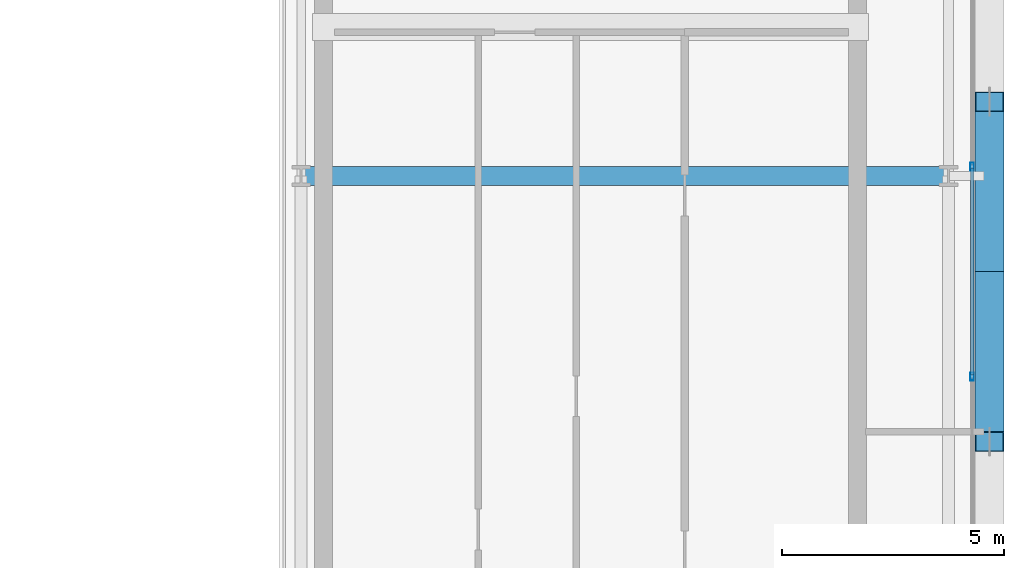
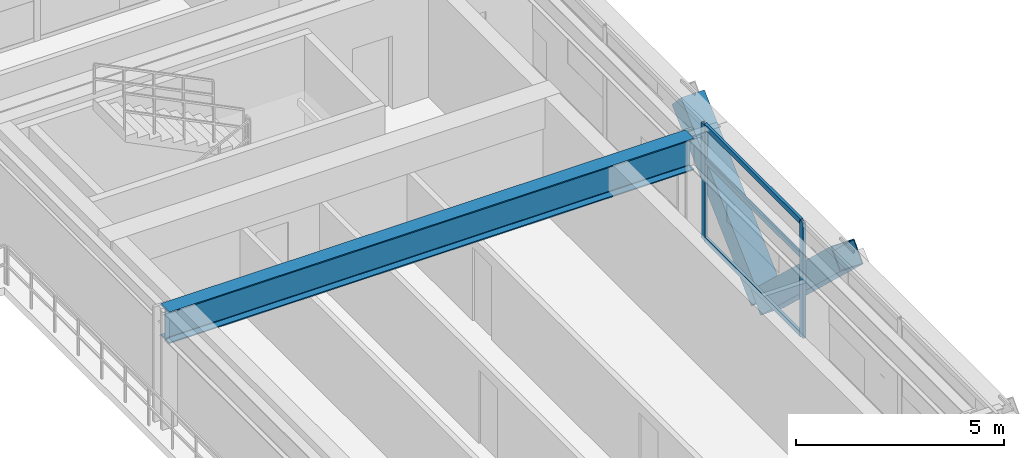
# One storey, part 11 of 27: 7 members, 1 beam, 1 element without a shape of its own.
"""IFC4 building model written with IfcOpenShell, lengths in metres."""

from ifc_helpers import new_model, si_unit, direction, frame, origin, origin_2d, place, context, subcontext, project, spatial, hollow_rectangle, i_section, extrude, source, transform, mapped, material, layer, layer_set, material_profile, profile_set, type_object, element, aggregate, save


model = new_model("IFC4")

# Units and contexts
model_context = context("Model", 3, precision=1e-05, world=origin(), true_north=direction((0.0, 1.0)))
body_context = subcontext(model_context, "Body", "Model", "MODEL_VIEW")
ifc_project = project(units=[si_unit("LENGTHUNIT", "METRE"), si_unit("AREAUNIT", "SQUARE_METRE"), si_unit("VOLUMEUNIT", "CUBIC_METRE"), si_unit("PLANEANGLEUNIT", "RADIAN"), si_unit("MASSUNIT", "GRAM", prefix="KILO")], contexts=[model_context])

# Site, building, storey
site_placement = place(None, origin())
site = spatial("IfcSite", under=ifc_project, at=site_placement, CompositionType="ELEMENT")
building_placement = place(site_placement, origin())
building = spatial("IfcBuilding", under=site, at=building_placement, Name="Ocotamira Hotel", CompositionType="ELEMENT")
storey_placement = place(building_placement, frame((0.0, 0.0, 232.800048828125)))
storey = spatial("IfcBuildingStorey", under=building, at=storey_placement, Name="L58", CompositionType="ELEMENT", Elevation=232.800048828125)

# Beam
ifc_material_1 = material(Name="Steel ASTM A992 Grade 50", Category="steel")
ifc_material_profile_1 = material_profile(ifc_material_1, i_section(OverallWidth=0.41796875, OverallDepth=0.927001953125, WebThickness=0.019287109375, FlangeThickness=0.031982421875, FilletRadius=0.02392578125, at=origin_2d()), Name="W36X231")
ifc_profile_set_1 = profile_set([ifc_material_profile_1], Name="Steel ASTM A992 Grade 50")
beam_type = type_object("IfcBeamType", Name="BM-GIRD-W36X231", PredefinedType="BEAM", material=ifc_profile_set_1)
shared_shape_1 = source(origin(), body_context, "Body", "SweptSolid", [
    extrude(i_section(OverallWidth=0.41796875, OverallDepth=0.927001953125, WebThickness=0.019287109375, FlangeThickness=0.031982421875, FilletRadius=0.02392578125, at=origin_2d()), origin(), (0.0, 0.0, 1.0), 14.550048828125),
])
beam_placement = place(storey_placement, frame((40.5, 28.14990234375, 2.91650390625), z_axis=(1.0, 0.0, 0.0), x_axis=(0.0, 1.0, 0.0)))
element("IfcBeam", 1, at=beam_placement, inside=storey, type_object=beam_type, Name="L58 Girder Y28.15 X40.5-55.05", PredefinedType="BEAM", context=body_context, shape_type="MappedRepresentation", body=[
    mapped(shared_shape_1, transform((0.0, 0.0, 0.0), scale=1.0)),
])

# Members
ifc_material_2 = material(Name="Pale-metal coated steel ASTM A913 Grade 65", Category="steel")
ifc_material_profile_2 = material_profile(ifc_material_2, hollow_rectangle(XDim=0.64990234375, YDim=0.64990234375, WallThickness=0.02197265625, at=origin_2d()), Name="BOX650X650X22")
ifc_profile_set_2 = profile_set([ifc_material_profile_2], Name="Pale-metal coated steel ASTM A913 Grade 65")
member_type_1 = type_object("IfcMemberType", Name="MEM-EXO-BOX650", PredefinedType="BRACE", material=ifc_profile_set_2)
shared_shape_2 = source(origin(), body_context, "Body", "SweptSolid", [
    extrude(hollow_rectangle(XDim=0.64990234375, YDim=0.64990234375, WallThickness=0.02197265625, at=origin_2d()), origin(), (0.0, 0.0, 1.0), 5.24658203125),
])
for number, where, z_axis, x_axis, name in (
    (2, (55.969970703125, 26.0, -0.469970703125), (0.0, -0.72746596067, 0.686143772154), (1.0, 0.0, 0.0), "L58 Exoskeleton Diagrid E1.1"),
    (3, (55.969970703125, 26.0, -0.469970703125), (0.0, 0.72746596067, 0.686143772154), (-1.0, 0.0, 0.0), "L58 Exoskeleton Diagrid E1.2"),
):
    element("IfcMember", number, at=place(storey_placement, frame(where, z_axis=z_axis, x_axis=x_axis)), inside=storey, type_object=member_type_1, Name=name, PredefinedType="BRACE", context=body_context, shape_type="MappedRepresentation", body=[
        mapped(shared_shape_2, transform((0.0, 0.0, 0.0), scale=1.0)),
    ])

# Curtain wall, members
ifc_material_3 = material(Name="Anodised pale-metal aluminium and solar glass", Category="aluminium")
ifc_layer = layer(ifc_material_3, 0.239990234375)
ifc_layer_set = layer_set([ifc_layer], Name="Anodised pale-metal aluminium and solar glass")
curtain_wall_type = type_object("IfcCurtainWallType", Name="CW-SYS5-SKY", PredefinedType="NOTDEFINED", material=ifc_layer_set)
curtain_wall_placement = place(storey_placement, origin())
curtain_wall = element("IfcCurtainWall", 4, at=curtain_wall_placement, inside=storey, type_object=curtain_wall_type, Name="L58 Curtain Wall CW-5 CW-L58-E", PredefinedType="NOTDEFINED")
ifc_material_4 = material(Name="Anodised pale-metal aluminium 6063-T6", Category="aluminium")
ifc_material_profile_3 = material_profile(ifc_material_4, hollow_rectangle(XDim=0.080078125, YDim=0.179931640625, WallThickness=0.006103515625, at=origin_2d()), Name="HSS180X80X6")
ifc_profile_set_3 = profile_set([ifc_material_profile_3], Name="Anodised pale-metal aluminium 6063-T6")
member_type_2 = type_object("IfcMemberType", Name="CWM-180X75", PredefinedType="MULLION", material=ifc_profile_set_3)
shared_shape_3 = source(origin(), body_context, "Body", "SweptSolid", [
    extrude(hollow_rectangle(XDim=0.080078125, YDim=0.179931640625, WallThickness=0.006103515625, at=origin_2d()), origin(), (0.0, 0.0, 1.0), 3.3798828125),
])
member_1_placement = place(storey_placement, frame((55.580078125, 23.639892578125, 0.0), z_axis=(0.0, 0.0, 1.0), x_axis=(-1.0, 0.0, 0.0)))
member_1 = element("IfcMember", 5, at=member_1_placement, type_object=member_type_2, Name="CW-5 mullion 3", PredefinedType="MULLION", context=body_context, shape_type="MappedRepresentation", body=[
    mapped(shared_shape_3, transform((0.0, 0.0, 0.0), scale=1.0)),
])
member_2_placement = place(storey_placement, frame((55.580078125, 28.360107421875, 0.0), z_axis=(0.0, 0.0, 1.0), x_axis=(-1.0, 0.0, 0.0)))
member_2 = element("IfcMember", 6, at=member_2_placement, type_object=member_type_2, Name="CW-5 mullion 4", PredefinedType="MULLION", context=body_context, shape_type="MappedRepresentation", body=[
    mapped(shared_shape_3, transform((0.0, 0.0, 0.0), scale=1.0)),
])
ifc_material_profile_4 = material_profile(ifc_material_4, hollow_rectangle(XDim=0.074951171875, YDim=0.14990234375, WallThickness=0.006103515625, at=origin_2d()), Name="HSS150X75X6")
ifc_profile_set_4 = profile_set([ifc_material_profile_4], Name="Anodised pale-metal aluminium 6063-T6")
member_type_3 = type_object("IfcMemberType", Name="CWT-150X75", PredefinedType="USERDEFINED", material=ifc_profile_set_4)
shared_shape_4 = source(origin(), body_context, "Body", "SweptSolid", [
    extrude(hollow_rectangle(XDim=0.074951171875, YDim=0.14990234375, WallThickness=0.006103515625, at=origin_2d()), origin(), (0.0, 0.0, 1.0), 4.64013671875),
])
member_3_placement = place(storey_placement, frame((55.580078125, 23.679931640625, 0.037353515625), z_axis=(0.0, 1.0, 0.0), x_axis=(-1.0, 0.0, 0.0)))
member_3 = element("IfcMember", 7, at=member_3_placement, type_object=member_type_3, Name="CW-5 transom 3.1", ObjectType="TRANSOM", PredefinedType="USERDEFINED", context=body_context, shape_type="MappedRepresentation", body=[
    mapped(shared_shape_4, transform((0.0, 0.0, 0.0), scale=1.0)),
])
member_4_placement = place(storey_placement, frame((55.580078125, 23.679931640625, 2.349853515625), z_axis=(0.0, 1.0, 0.0), x_axis=(-1.0, 0.0, 0.0)))
member_4 = element("IfcMember", 8, at=member_4_placement, type_object=member_type_3, Name="CW-5 transom 3.2", ObjectType="TRANSOM", PredefinedType="USERDEFINED", context=body_context, shape_type="MappedRepresentation", body=[
    mapped(shared_shape_4, transform((0.0, 0.0, 0.0), scale=1.0)),
])
member_5_placement = place(storey_placement, frame((55.580078125, 23.679931640625, 3.342529296875), z_axis=(0.0, 1.0, 0.0), x_axis=(-1.0, 0.0, 0.0)))
member_5 = element("IfcMember", 9, at=member_5_placement, type_object=member_type_3, Name="CW-5 transom 3.3", ObjectType="TRANSOM", PredefinedType="USERDEFINED", context=body_context, shape_type="MappedRepresentation", body=[
    mapped(shared_shape_4, transform((0.0, 0.0, 0.0), scale=1.0)),
])
aggregate(curtain_wall, [member_1, member_2, member_3, member_4, member_5])

save(model, "model.ifc")
